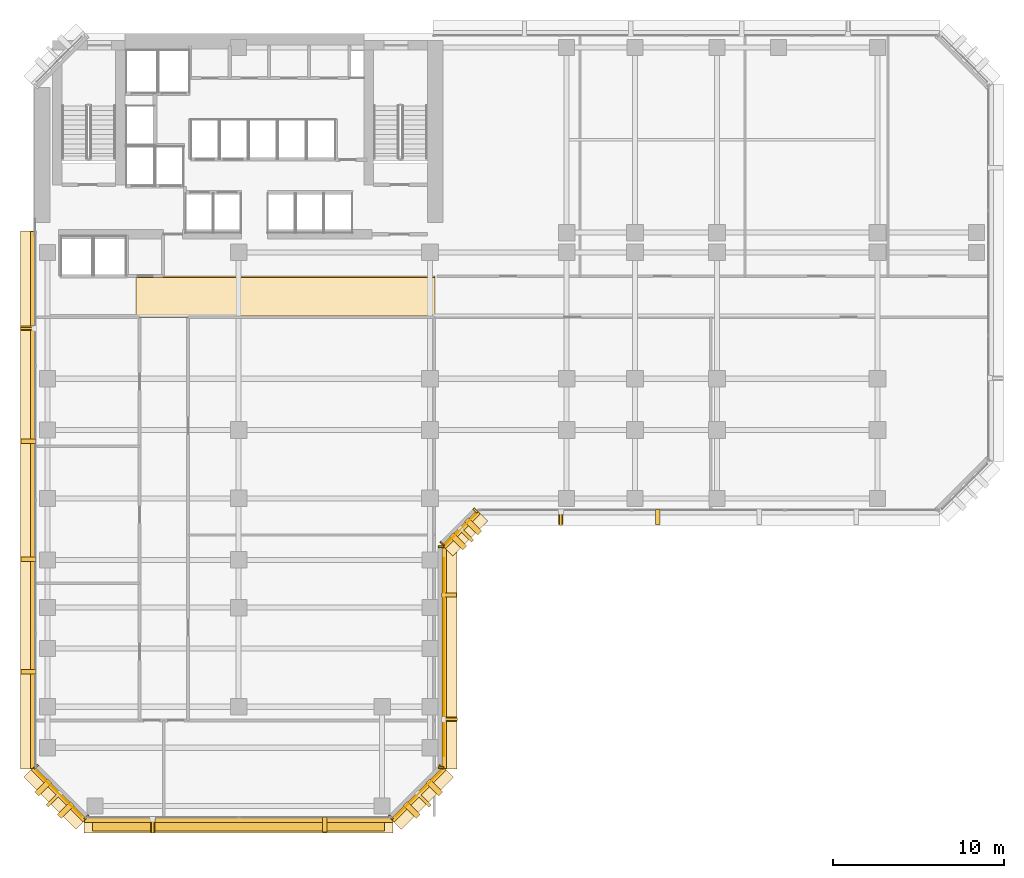
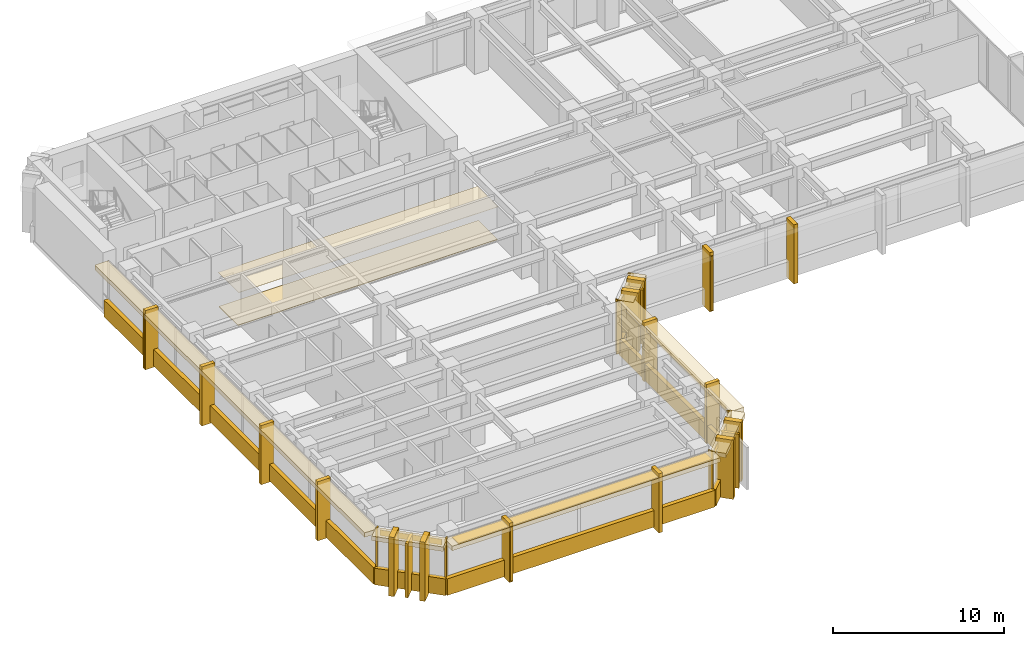
# One storey, part 10 of 14: 42 coverings, 8 shading devices.
"""IFC4 building model written with IfcOpenShell, lengths in metres."""

from ifc_helpers import new_model, si_unit, direction, frame, origin, origin_2d, place, context, subcontext, project, spatial, polyline, rectangle, outline, extrude, material, layer, layer_set, material_profile, profile_set, type_object, element, save


model = new_model("IFC4")

# Units and contexts
model_context = context("Model", 3, precision=1e-05, world=origin(), true_north=direction((0.0, 1.0)))
body_context = subcontext(model_context, "Body", "Model", "MODEL_VIEW")
ifc_project = project(units=[si_unit("LENGTHUNIT", "METRE"), si_unit("AREAUNIT", "SQUARE_METRE"), si_unit("VOLUMEUNIT", "CUBIC_METRE"), si_unit("PLANEANGLEUNIT", "RADIAN"), si_unit("MASSUNIT", "GRAM", prefix="KILO")], contexts=[model_context])

# Site, building, storey
site_placement = place(None, origin())
site = spatial("IfcSite", under=ifc_project, at=site_placement, CompositionType="ELEMENT")
building_placement = place(site_placement, origin())
building = spatial("IfcBuilding", under=site, at=building_placement, Name="Kefirva Bronze Tower", CompositionType="ELEMENT")
storey_placement = place(building_placement, frame((0.0, 0.0, 42.239990234375)))
storey = spatial("IfcBuildingStorey", under=building, at=storey_placement, Name="L09", CompositionType="ELEMENT", Elevation=42.239990234375)

# Coverings
ifc_material_1 = material(Name="Acoustic mineral tile")
ifc_layer_1 = layer(ifc_material_1, 0.02490234375, Name="Acoustic mineral tile")
ifc_layer_set_1 = layer_set([ifc_layer_1], Name="Acoustic mineral tile")
covering_type_1 = type_object("IfcCoveringType", Name="Acoustic Mineral Suspended Ceiling 25mm", PredefinedType="CEILING", material=ifc_layer_set_1)
covering_1_placement = place(storey_placement, frame((0.0, 0.0, 2.39990234375)))
element("IfcCovering", 1, at=covering_1_placement, inside=storey, type_object=covering_type_1, Name="L09 Corridor Acoustic Ceiling", PredefinedType="CEILING", context=body_context, shape_type="SweptSolid", body=[
    extrude(outline(polyline([(6.0, 29.39990234375), (23.5, 29.39990234375), (23.5, 31.800048828125), (6.0, 31.800048828125), (6.0, 29.39990234375)])), origin(), (0.0, 0.0, 1.0), 0.025146484375),
])
ifc_material_2 = material(Name="Bronze anodised aluminium", Category="aluminium")
ifc_layer_2 = layer(ifc_material_2, 0.02001953125, Name="Bronze anodised aluminium")
ifc_layer_set_2 = layer_set([ifc_layer_2], Name="Bronze anodised aluminium")
covering_type_2 = type_object("IfcCoveringType", Name="Anodised Bronze Spandrel Cladding 20mm", PredefinedType="CLADDING", material=ifc_layer_set_2)
covering_2_placement = place(storey_placement, frame((12.0, -0.0400390625, -0.16015625), z_axis=(0.0, 0.0, 1.0), x_axis=(1.0, 0.0, 0.0)))
element("IfcCovering", 2, at=covering_2_placement, inside=storey, type_object=covering_type_2, Name="L09 Streamline Horizontal Spandrel Band 0", PredefinedType="CLADDING", context=body_context, shape_type="SweptSolid", body=[
    extrude(rectangle(XDim=18.0400390625, YDim=0.280029296875, at=origin_2d()), origin(), (0.0, 0.0, 1.0), 1.179931640625),
])
covering_3_placement = place(storey_placement, frame((22.507080078125, 1.492919921875, 3.2900390625), z_axis=(0.0, 0.0, 1.0), x_axis=(0.707106781187, 0.707106781187, 0.0)))
element("IfcCovering", 3, at=covering_3_placement, inside=storey, type_object=covering_type_2, Name="L09 Bronze Spandrel Cladding 1", PredefinedType="CLADDING", context=body_context, shape_type="SweptSolid", body=[
    extrude(rectangle(XDim=3.719482421875, YDim=0.02001953125, at=origin_2d()), origin(), (0.0, 0.0, 1.0), 0.39990234375),
])
for number, where, z_axis, x_axis, name in (
    (4, (20.91162109375, 0.137939453125, 0.0), (0.0, 0.0, 1.0), (0.707106781187, 0.707106781187, 0.0), "L09 Facade Joint Closure Panel 1S"),
    (5, (23.862060546875, 3.08837890625, 0.0), (0.0, 0.0, 1.0), (0.707106781187, 0.707106781187, 0.0), "L09 Facade Joint Closure Panel 1E"),
):
    element("IfcCovering", number, at=place(storey_placement, frame(where, z_axis=z_axis, x_axis=x_axis)), inside=storey, type_object=covering_type_2, Name=name, PredefinedType="CLADDING", context=body_context, shape_type="SweptSolid", body=[
        extrude(rectangle(XDim=0.10009765625, YDim=0.320068359375, at=origin_2d()), origin(), (0.0, 0.0, 1.0), 3.7099609375),
    ])
covering_4_placement = place(storey_placement, frame((22.5283203125, 1.4716796875, -0.16015625), z_axis=(0.0, 0.0, 1.0), x_axis=(0.707106781187, 0.707106781187, 0.0)))
element("IfcCovering", 6, at=covering_4_placement, inside=storey, type_object=covering_type_2, Name="L09 Streamline Horizontal Spandrel Band 1", PredefinedType="CLADDING", context=body_context, shape_type="SweptSolid", body=[
    extrude(rectangle(XDim=4.28271484375, YDim=0.280029296875, at=origin_2d()), origin(), (0.0, 0.0, 1.0), 1.179931640625),
])
covering_5_placement = place(storey_placement, frame((24.010009765625, 9.5, 3.2900390625), z_axis=(0.0, 0.0, 1.0), x_axis=(0.0, 1.0, 0.0)))
element("IfcCovering", 7, at=covering_5_placement, inside=storey, type_object=covering_type_2, Name="L09 Bronze Spandrel Cladding 2", PredefinedType="CLADDING", context=body_context, shape_type="SweptSolid", body=[
    extrude(rectangle(XDim=11.60107421875, YDim=0.02001953125, at=origin_2d()), origin(), (0.0, 0.0, 1.0), 0.39990234375),
])
for number, where, z_axis, x_axis, name in (
    (8, (23.840087890625, 3.034912109375, 0.0), (0.0, 0.0, 1.0), (0.0, 1.0, 0.0), "L09 Facade Joint Closure Panel 2S"),
    (9, (23.840087890625, 15.965087890625, 0.0), (0.0, 0.0, 1.0), (0.0, 1.0, 0.0), "L09 Facade Joint Closure Panel 2E"),
):
    element("IfcCovering", number, at=place(storey_placement, frame(where, z_axis=z_axis, x_axis=x_axis)), inside=storey, type_object=covering_type_2, Name=name, PredefinedType="CLADDING", context=body_context, shape_type="SweptSolid", body=[
        extrude(rectangle(XDim=0.10009765625, YDim=0.320068359375, at=origin_2d()), origin(), (0.0, 0.0, 1.0), 3.7099609375),
    ])
covering_6_placement = place(storey_placement, frame((24.0400390625, 9.5, -0.16015625), z_axis=(0.0, 0.0, 1.0), x_axis=(0.0, 1.0, 0.0)))
element("IfcCovering", 10, at=covering_6_placement, inside=storey, type_object=covering_type_2, Name="L09 Streamline Horizontal Spandrel Band 2", PredefinedType="CLADDING", context=body_context, shape_type="SweptSolid", body=[
    extrude(rectangle(XDim=13.0400390625, YDim=0.280029296875, at=origin_2d()), origin(), (0.0, 0.0, 1.0), 1.179931640625),
])
covering_7_placement = place(storey_placement, frame((25.007080078125, 16.992919921875, 3.2900390625), z_axis=(0.0, 0.0, 1.0), x_axis=(0.707106781187, 0.707106781187, 0.0)))
element("IfcCovering", 11, at=covering_7_placement, inside=storey, type_object=covering_type_2, Name="L09 Bronze Spandrel Cladding 3", PredefinedType="CLADDING", context=body_context, shape_type="SweptSolid", body=[
    extrude(rectangle(XDim=2.446533203125, YDim=0.02001953125, at=origin_2d()), origin(), (0.0, 0.0, 1.0), 0.39990234375),
])
for number, where, z_axis, x_axis, name in (
    (12, (23.91162109375, 16.137939453125, 0.0), (0.0, 0.0, 1.0), (0.707106781187, 0.707106781187, 0.0), "L09 Facade Joint Closure Panel 3S"),
    (13, (25.862060546875, 18.08837890625, 0.0), (0.0, 0.0, 1.0), (0.707106781187, 0.707106781187, 0.0), "L09 Facade Joint Closure Panel 3E"),
):
    element("IfcCovering", number, at=place(storey_placement, frame(where, z_axis=z_axis, x_axis=x_axis)), inside=storey, type_object=covering_type_2, Name=name, PredefinedType="CLADDING", context=body_context, shape_type="SweptSolid", body=[
        extrude(rectangle(XDim=0.10009765625, YDim=0.320068359375, at=origin_2d()), origin(), (0.0, 0.0, 1.0), 3.7099609375),
    ])
covering_8_placement = place(storey_placement, frame((25.0283203125, 16.9716796875, -0.16015625), z_axis=(0.0, 0.0, 1.0), x_axis=(0.707106781187, 0.707106781187, 0.0)))
element("IfcCovering", 14, at=covering_8_placement, inside=storey, type_object=covering_type_2, Name="L09 Streamline Horizontal Spandrel Band 3", PredefinedType="CLADDING", context=body_context, shape_type="SweptSolid", body=[
    extrude(rectangle(XDim=2.868408203125, YDim=0.280029296875, at=origin_2d()), origin(), (0.0, 0.0, 1.0), 1.179931640625),
])
covering_9_placement = place(storey_placement, frame((-0.0400390625, 18.697509765625, -0.16015625), z_axis=(0.0, 0.0, 1.0), x_axis=(0.0, -1.0, 0.0)))
element("IfcCovering", 15, at=covering_9_placement, inside=storey, type_object=covering_type_2, Name="L09 Streamline Horizontal Spandrel Band 10", PredefinedType="CLADDING", context=body_context, shape_type="SweptSolid", body=[
    extrude(rectangle(XDim=31.43505859375, YDim=0.280029296875, at=origin_2d()), origin(), (0.0, 0.0, 1.0), 1.179931640625),
])
covering_10_placement = place(storey_placement, frame((1.492919921875, 1.492919921875, 3.2900390625), z_axis=(0.0, 0.0, 1.0), x_axis=(0.707106781187, -0.707106781187, 0.0)))
element("IfcCovering", 16, at=covering_10_placement, inside=storey, type_object=covering_type_2, Name="L09 Bronze Spandrel Cladding 7", PredefinedType="CLADDING", context=body_context, shape_type="SweptSolid", body=[
    extrude(rectangle(XDim=3.719482421875, YDim=0.02001953125, at=origin_2d()), origin(), (0.0, 0.0, 1.0), 0.39990234375),
])
for number, where, z_axis, x_axis, name in (
    (17, (0.137939453125, 3.08837890625, 0.0), (0.0, 0.0, 1.0), (0.707106781187, -0.707106781187, 0.0), "L09 Facade Joint Closure Panel 7S"),
    (18, (3.08837890625, 0.137939453125, 0.0), (0.0, 0.0, 1.0), (0.707106781187, -0.707106781187, 0.0), "L09 Facade Joint Closure Panel 7E"),
):
    element("IfcCovering", number, at=place(storey_placement, frame(where, z_axis=z_axis, x_axis=x_axis)), inside=storey, type_object=covering_type_2, Name=name, PredefinedType="CLADDING", context=body_context, shape_type="SweptSolid", body=[
        extrude(rectangle(XDim=0.10009765625, YDim=0.320068359375, at=origin_2d()), origin(), (0.0, 0.0, 1.0), 3.7099609375),
    ])
covering_11_placement = place(storey_placement, frame((1.4716796875, 1.4716796875, -0.16015625), z_axis=(0.0, 0.0, 1.0), x_axis=(0.707106781187, -0.707106781187, 0.0)))
element("IfcCovering", 19, at=covering_11_placement, inside=storey, type_object=covering_type_2, Name="L09 Streamline Horizontal Spandrel Band 11", PredefinedType="CLADDING", context=body_context, shape_type="SweptSolid", body=[
    extrude(rectangle(XDim=4.28271484375, YDim=0.280029296875, at=origin_2d()), origin(), (0.0, 0.0, 1.0), 1.179931640625),
])

# Shading devices
ifc_material_profile_1 = material_profile(ifc_material_2, rectangle(XDim=0.179931640625, YDim=1.080078125, at=origin_2d()), Name="BRONZE BUTTRESS FIN 180x1080")
ifc_profile_set_1 = profile_set([ifc_material_profile_1], Name="Bronze anodised aluminium")
shading_device_type_1 = type_object("IfcShadingDeviceType", Name="Chamfered Corner Buttress Bronze Fin 1080mm", PredefinedType="USERDEFINED", material=ifc_profile_set_1)
for number, where, z_axis, x_axis, name in (
    (20, (22.8251953125, 1.1748046875, -0.139892578125), (0.0, 0.0, 1.0), (0.707106781187, 0.707106781187, 0.0), "L09 Chamfered Corner Buttress Fin 4"),
    (21, (25.3251953125, 16.6748046875, -0.139892578125), (0.0, 0.0, 1.0), (0.707106781187, 0.707106781187, 0.0), "L09 Chamfered Corner Buttress Fin 8"),
    (22, (1.1748046875, 1.1748046875, -0.139892578125), (0.0, 0.0, 1.0), (0.707106781187, -0.707106781187, 0.0), "L09 Chamfered Corner Buttress Fin 30"),
):
    element("IfcShadingDevice", number, at=place(storey_placement, frame(where, z_axis=z_axis, x_axis=x_axis)), inside=storey, type_object=shading_device_type_1, Name=name, ObjectType="VERTICAL FIN", PredefinedType="USERDEFINED", context=body_context, shape_type="SweptSolid", body=[
        extrude(rectangle(XDim=0.179931640625, YDim=1.080078125, at=origin_2d()), origin(), (0.0, 0.0, 1.0), 3.849853515625),
    ])
ifc_layer_3 = layer(ifc_material_2, 0.090087890625, Name="Bronze anodised aluminium")
ifc_layer_set_3 = layer_set([ifc_layer_3], Name="Bronze anodised aluminium")
shading_device_type_2 = type_object("IfcShadingDeviceType", Name="Horizontal Bronze Sunshade Band 750mm", PredefinedType="JALOUSIE", material=ifc_layer_set_3)
shading_device_placement = place(storey_placement, frame((12.0, -0.294921875, 3.60498046875), z_axis=(0.0, 0.0, 1.0), x_axis=(1.0, 0.0, 0.0)))
element("IfcShadingDevice", 23, at=shading_device_placement, inside=storey, type_object=shading_device_type_2, Name="L09 Horizontal Bronze Sunshade Band 0", PredefinedType="JALOUSIE", context=body_context, shape_type="SweptSolid", body=[
    extrude(rectangle(XDim=17.090087890625, YDim=0.75, at=origin_2d()), origin(), (0.0, 0.0, 1.0), 0.090087890625),
])

# Coverings
ifc_material_3 = material(Name="Calcium sulphate access tile")
ifc_layer_4 = layer(ifc_material_3, 0.044921875, Name="Calcium sulphate access tile")
ifc_layer_set_4 = layer_set([ifc_layer_4], Name="Calcium sulphate access tile")
covering_type_3 = type_object("IfcCoveringType", Name="Raised Access Office Flooring 45mm", PredefinedType="FLOORING", material=ifc_layer_set_4)
covering_12_placement = place(storey_placement, origin())
element("IfcCovering", 24, at=covering_12_placement, inside=storey, type_object=covering_type_3, Name="L09 Architectural Finish Flooring", PredefinedType="FLOORING", context=body_context, shape_type="SweptSolid", body=[
    extrude(outline(polyline([(6.0, 29.47998046875), (23.5, 29.47998046875), (23.5, 31.719970703125), (6.0, 31.719970703125), (6.0, 29.47998046875)])), origin(), (0.0, 0.0, 1.0), 0.044921875),
])
ifc_layer_5 = layer(ifc_material_2, 0.179931640625, Name="Bronze anodised aluminium")
ifc_layer_set_5 = layer_set([ifc_layer_5], Name="Bronze anodised aluminium")
covering_type_4 = type_object("IfcCoveringType", Name="Streamline Bronze Sunshade Eyebrow Cladding 180mm", PredefinedType="CLADDING", material=ifc_layer_set_5)
covering_13_placement = place(storey_placement, frame((12.0, -0.31005859375, 3.39013671875), z_axis=(0.0, 0.0, 1.0), x_axis=(1.0, 0.0, 0.0)))
element("IfcCovering", 25, at=covering_13_placement, inside=storey, type_object=covering_type_4, Name="L09 Streamline Bronze Sunshade Eyebrow 0", PredefinedType="CLADDING", context=body_context, shape_type="SweptSolid", body=[
    extrude(rectangle(XDim=18.080078125, YDim=0.93994140625, at=origin_2d()), origin(), (0.0, 0.0, 1.0), 0.320068359375),
])
covering_14_placement = place(storey_placement, frame((22.71923828125, 1.28076171875, 3.39013671875), z_axis=(0.0, 0.0, 1.0), x_axis=(0.707106781187, 0.707106781187, 0.0)))
element("IfcCovering", 26, at=covering_14_placement, inside=storey, type_object=covering_type_4, Name="L09 Streamline Bronze Sunshade Eyebrow 1", PredefinedType="CLADDING", context=body_context, shape_type="SweptSolid", body=[
    extrude(rectangle(XDim=4.322509765625, YDim=0.93994140625, at=origin_2d()), origin(), (0.0, 0.0, 1.0), 0.320068359375),
])
covering_15_placement = place(storey_placement, frame((24.31005859375, 9.5, 3.39013671875), z_axis=(0.0, 0.0, 1.0), x_axis=(0.0, 1.0, 0.0)))
element("IfcCovering", 27, at=covering_15_placement, inside=storey, type_object=covering_type_4, Name="L09 Streamline Bronze Sunshade Eyebrow 2", PredefinedType="CLADDING", context=body_context, shape_type="SweptSolid", body=[
    extrude(rectangle(XDim=13.080078125, YDim=0.93994140625, at=origin_2d()), origin(), (0.0, 0.0, 1.0), 0.320068359375),
])
covering_16_placement = place(storey_placement, frame((25.21923828125, 16.78076171875, 3.39013671875), z_axis=(0.0, 0.0, 1.0), x_axis=(0.707106781187, 0.707106781187, 0.0)))
element("IfcCovering", 28, at=covering_16_placement, inside=storey, type_object=covering_type_4, Name="L09 Streamline Bronze Sunshade Eyebrow 3", PredefinedType="CLADDING", context=body_context, shape_type="SweptSolid", body=[
    extrude(rectangle(XDim=2.908447265625, YDim=0.93994140625, at=origin_2d()), origin(), (0.0, 0.0, 1.0), 0.320068359375),
])
covering_17_placement = place(storey_placement, frame((-0.31005859375, 18.697509765625, 3.39013671875), z_axis=(0.0, 0.0, 1.0), x_axis=(0.0, -1.0, 0.0)))
element("IfcCovering", 29, at=covering_17_placement, inside=storey, type_object=covering_type_4, Name="L09 Streamline Bronze Sunshade Eyebrow 10", PredefinedType="CLADDING", context=body_context, shape_type="SweptSolid", body=[
    extrude(rectangle(XDim=31.47509765625, YDim=0.93994140625, at=origin_2d()), origin(), (0.0, 0.0, 1.0), 0.320068359375),
])
covering_18_placement = place(storey_placement, frame((1.28076171875, 1.28076171875, 3.39013671875), z_axis=(0.0, 0.0, 1.0), x_axis=(0.707106781187, -0.707106781187, 0.0)))
element("IfcCovering", 30, at=covering_18_placement, inside=storey, type_object=covering_type_4, Name="L09 Streamline Bronze Sunshade Eyebrow 11", PredefinedType="CLADDING", context=body_context, shape_type="SweptSolid", body=[
    extrude(rectangle(XDim=4.322509765625, YDim=0.93994140625, at=origin_2d()), origin(), (0.0, 0.0, 1.0), 0.320068359375),
])
ifc_layer_6 = layer(ifc_material_2, 0.260009765625, Name="Bronze anodised aluminium")
ifc_layer_set_6 = layer_set([ifc_layer_6], Name="Bronze anodised aluminium")
covering_type_5 = type_object("IfcCoveringType", Name="Unbroken Bronze Buttress Fin Cladding 260mm", PredefinedType="CLADDING", material=ifc_layer_set_6)
for number, where, z_axis, x_axis, name in (
    (31, (6.9599609375, -0.300048828125, -0.25), (0.0, 0.0, 1.0), (1.0, 0.0, 0.0), "L09 Unbroken Vertical Bronze Rib Fin 1"),
    (32, (17.0400390625, -0.300048828125, -0.25), (0.0, 0.0, 1.0), (1.0, 0.0, 0.0), "L09 Unbroken Vertical Bronze Rib Fin 2"),
):
    element("IfcCovering", number, at=place(storey_placement, frame(where, z_axis=z_axis, x_axis=x_axis)), inside=storey, type_object=covering_type_5, Name=name, PredefinedType="CLADDING", context=body_context, shape_type="SweptSolid", body=[
        extrude(rectangle(XDim=0.260009765625, YDim=0.8798828125, at=origin_2d()), origin(), (0.0, 0.0, 1.0), 4.2099609375),
    ])
for number, where, z_axis, x_axis, name in (
    (33, (22.122802734375, 0.55712890625, -0.25), (0.0, 0.0, 1.0), (0.707106781187, 0.707106781187, 0.0), "L09 Chamfered Corner Buttress Fin Cladding 3"),
    (34, (23.44287109375, 1.877197265625, -0.25), (0.0, 0.0, 1.0), (0.707106781187, 0.707106781187, 0.0), "L09 Chamfered Corner Buttress Fin Cladding 4"),
):
    element("IfcCovering", number, at=place(storey_placement, frame(where, z_axis=z_axis, x_axis=x_axis)), inside=storey, type_object=covering_type_5, Name=name, PredefinedType="CLADDING", context=body_context, shape_type="SweptSolid", body=[
        extrude(rectangle(XDim=0.340087890625, YDim=1.080078125, at=origin_2d()), origin(), (0.0, 0.0, 1.0), 4.2099609375),
    ])
for number, where, z_axis, x_axis, name in (
    (35, (24.300048828125, 5.860107421875, -0.25), (0.0, 0.0, 1.0), (0.0, 1.0, 0.0), "L09 Unbroken Vertical Bronze Rib Fin 5"),
    (36, (24.300048828125, 13.139892578125, -0.25), (0.0, 0.0, 1.0), (0.0, 1.0, 0.0), "L09 Unbroken Vertical Bronze Rib Fin 6"),
):
    element("IfcCovering", number, at=place(storey_placement, frame(where, z_axis=z_axis, x_axis=x_axis)), inside=storey, type_object=covering_type_5, Name=name, PredefinedType="CLADDING", context=body_context, shape_type="SweptSolid", body=[
        extrude(rectangle(XDim=0.260009765625, YDim=0.8798828125, at=origin_2d()), origin(), (0.0, 0.0, 1.0), 4.2099609375),
    ])
for number, where, z_axis, x_axis, name in (
    (37, (24.8427734375, 16.277099609375, -0.25), (0.0, 0.0, 1.0), (0.707106781187, 0.707106781187, 0.0), "L09 Chamfered Corner Buttress Fin Cladding 7"),
    (38, (25.722900390625, 17.1572265625, -0.25), (0.0, 0.0, 1.0), (0.707106781187, 0.707106781187, 0.0), "L09 Chamfered Corner Buttress Fin Cladding 8"),
):
    element("IfcCovering", number, at=place(storey_placement, frame(where, z_axis=z_axis, x_axis=x_axis)), inside=storey, type_object=covering_type_5, Name=name, PredefinedType="CLADDING", context=body_context, shape_type="SweptSolid", body=[
        extrude(rectangle(XDim=0.340087890625, YDim=1.080078125, at=origin_2d()), origin(), (0.0, 0.0, 1.0), 4.2099609375),
    ])
for number, where, z_axis, x_axis, name in (
    (39, (30.860107421875, 17.699951171875, -0.25), (0.0, 0.0, 1.0), (1.0, 0.0, 0.0), "L09 Unbroken Vertical Bronze Rib Fin 9"),
    (40, (36.530029296875, 17.699951171875, -0.25), (0.0, 0.0, 1.0), (1.0, 0.0, 0.0), "L09 Unbroken Vertical Bronze Rib Fin 10"),
    (41, (-0.300048828125, 28.743896484375, -0.25), (0.0, 0.0, 1.0), (0.0, -1.0, 0.0), "L09 Unbroken Vertical Bronze Rib Fin 25"),
    (42, (-0.300048828125, 22.15087890625, -0.25), (0.0, 0.0, 1.0), (0.0, -1.0, 0.0), "L09 Unbroken Vertical Bronze Rib Fin 26"),
    (43, (-0.300048828125, 15.244140625, -0.25), (0.0, 0.0, 1.0), (0.0, -1.0, 0.0), "L09 Unbroken Vertical Bronze Rib Fin 27"),
    (44, (-0.300048828125, 8.651123046875, -0.25), (0.0, 0.0, 1.0), (0.0, -1.0, 0.0), "L09 Unbroken Vertical Bronze Rib Fin 28"),
):
    element("IfcCovering", number, at=place(storey_placement, frame(where, z_axis=z_axis, x_axis=x_axis)), inside=storey, type_object=covering_type_5, Name=name, PredefinedType="CLADDING", context=body_context, shape_type="SweptSolid", body=[
        extrude(rectangle(XDim=0.260009765625, YDim=0.8798828125, at=origin_2d()), origin(), (0.0, 0.0, 1.0), 4.2099609375),
    ])
for number, where, z_axis, x_axis, name in (
    (45, (0.55712890625, 1.877197265625, -0.25), (0.0, 0.0, 1.0), (0.707106781187, -0.707106781187, 0.0), "L09 Chamfered Corner Buttress Fin Cladding 29"),
    (46, (1.877197265625, 0.55712890625, -0.25), (0.0, 0.0, 1.0), (0.707106781187, -0.707106781187, 0.0), "L09 Chamfered Corner Buttress Fin Cladding 30"),
):
    element("IfcCovering", number, at=place(storey_placement, frame(where, z_axis=z_axis, x_axis=x_axis)), inside=storey, type_object=covering_type_5, Name=name, PredefinedType="CLADDING", context=body_context, shape_type="SweptSolid", body=[
        extrude(rectangle(XDim=0.340087890625, YDim=1.080078125, at=origin_2d()), origin(), (0.0, 0.0, 1.0), 4.2099609375),
    ])

# Shading devices
ifc_material_profile_2 = material_profile(ifc_material_2, rectangle(XDim=0.139892578125, YDim=0.8798828125, at=origin_2d()), Name="BRONZE FIN 140x880")
ifc_profile_set_2 = profile_set([ifc_material_profile_2], Name="Bronze anodised aluminium")
shading_device_type_3 = type_object("IfcShadingDeviceType", Name="Unbroken Vertical Bronze Facade Fin 880mm", PredefinedType="USERDEFINED", material=ifc_profile_set_2)
for number, where, z_axis, x_axis, name in (
    (47, (6.9599609375, -0.360107421875, -0.139892578125), (0.0, 0.0, 1.0), (1.0, 0.0, 0.0), "L09 Vertical Bronze Rib Fin 1"),
    (48, (24.360107421875, 5.860107421875, -0.139892578125), (0.0, 0.0, 1.0), (0.0, 1.0, 0.0), "L09 Vertical Bronze Rib Fin 5"),
    (49, (30.860107421875, 17.639892578125, -0.139892578125), (0.0, 0.0, 1.0), (1.0, 0.0, 0.0), "L09 Vertical Bronze Rib Fin 9"),
    (50, (-0.360107421875, 28.743896484375, -0.139892578125), (0.0, 0.0, 1.0), (0.0, -1.0, 0.0), "L09 Vertical Bronze Rib Fin 25"),
):
    element("IfcShadingDevice", number, at=place(storey_placement, frame(where, z_axis=z_axis, x_axis=x_axis)), inside=storey, type_object=shading_device_type_3, Name=name, ObjectType="VERTICAL FIN", PredefinedType="USERDEFINED", context=body_context, shape_type="SweptSolid", body=[
        extrude(rectangle(XDim=0.139892578125, YDim=0.8798828125, at=origin_2d()), origin(), (0.0, 0.0, 1.0), 3.849853515625),
    ])

save(model, "model.ifc")
